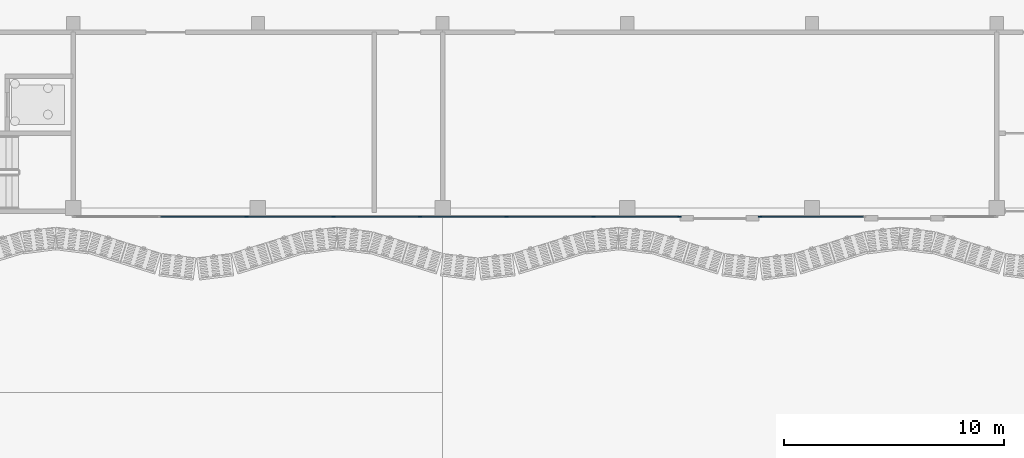
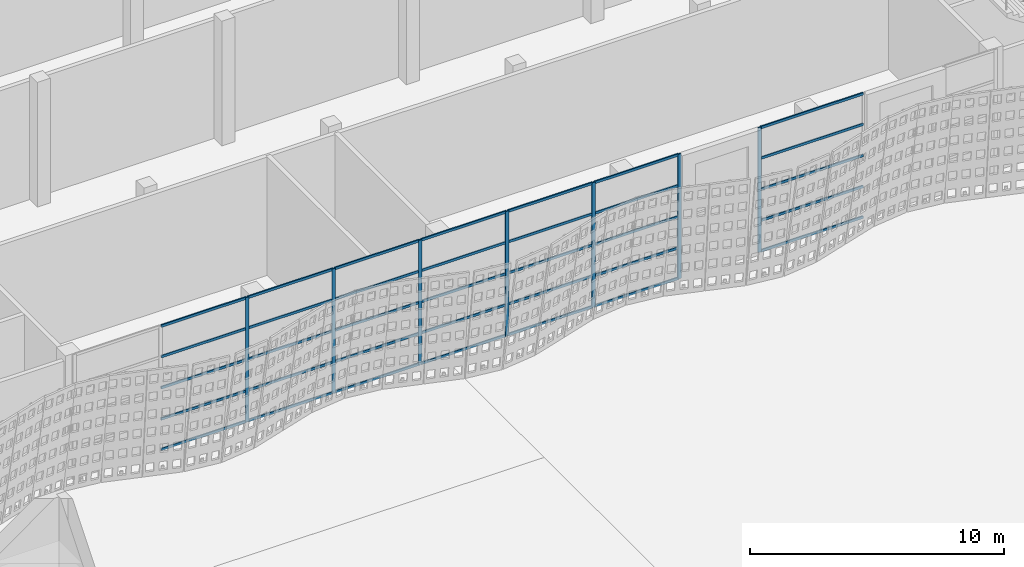
# One storey, part 54 of 210: 42 members, 2 elements without a shape of their own.
"""IFC4 building model written with IfcOpenShell, lengths in metres."""

from ifc_helpers import new_model, si_unit, direction, frame, origin, origin_2d, place, context, subcontext, project, spatial, rectangle, extrude, material, layer, layer_set, material_profile, profile_set, type_object, element, aggregate, save


model = new_model("IFC4")

# Units and contexts
model_context = context("Model", 3, precision=1e-05, world=origin(), true_north=direction((0.0, 1.0)))
body_context = subcontext(model_context, "Body", "Model", "MODEL_VIEW")
ifc_project = project(units=[si_unit("LENGTHUNIT", "METRE"), si_unit("AREAUNIT", "SQUARE_METRE"), si_unit("VOLUMEUNIT", "CUBIC_METRE"), si_unit("PLANEANGLEUNIT", "RADIAN"), si_unit("MASSUNIT", "GRAM", prefix="KILO")], contexts=[model_context])

# Site, building, storey
site_placement = place(None, origin())
site = spatial("IfcSite", under=ifc_project, at=site_placement, CompositionType="ELEMENT")
building_placement = place(site_placement, origin())
building = spatial("IfcBuilding", under=site, at=building_placement, Name="Rain Tree Exposition and Congress Centre", CompositionType="ELEMENT")
storey_placement = place(building_placement, origin())
storey = spatial("IfcBuildingStorey", under=building, at=storey_placement, Name="L00", CompositionType="ELEMENT", Elevation=0.0)

# Curtain wall, members
ifc_material_1 = material(Name="Aluminium curtain wall system", Category="aluminium")
ifc_layer = layer(ifc_material_1, 0.10009765625)
ifc_layer_set = layer_set([ifc_layer], Name="Aluminium curtain wall system")
curtain_wall_type = type_object("IfcCurtainWallType", Name="Concourse curtain wall 4200 module", PredefinedType="NOTDEFINED", material=ifc_layer_set)
curtain_wall_1_placement = place(storey_placement, origin())
curtain_wall_1 = element("IfcCurtainWall", 1, at=curtain_wall_1_placement, inside=storey, type_object=curtain_wall_type, Name="Concourse curtain wall CWC19", PredefinedType="NOTDEFINED")
ifc_material_2 = material(Name="Aluminium mullion", Category="aluminium")
ifc_material_profile_1 = material_profile(ifc_material_2, rectangle(XDim=0.06005859375, YDim=0.159912109375, at=origin_2d()), Name="AL 60x160")
ifc_profile_set_1 = profile_set([ifc_material_profile_1], Name="Aluminium mullion")
member_type_1 = type_object("IfcMemberType", Name="Concourse curtain wall mullion 60x160", PredefinedType="MULLION", material=ifc_profile_set_1)
member_1_placement = place(storey_placement, frame((226.28564453125, 75.199951171875, 0.0), z_axis=(0.0, 0.0, 1.0), x_axis=(0.0, 1.0, 0.0)))
member_1 = element("IfcMember", 2, at=member_1_placement, type_object=member_type_1, Name="CWC19 mullion 3", PredefinedType="MULLION", context=body_context, shape_type="SweptSolid", body=[
    extrude(rectangle(XDim=0.06005859375, YDim=0.159912109375, at=origin_2d()), origin(), (0.0, 0.0, 1.0), 6.0),
])
member_2_placement = place(storey_placement, frame((230.228515625, 75.199951171875, 0.0), z_axis=(0.0, 0.0, 1.0), x_axis=(0.0, 1.0, 0.0)))
member_2 = element("IfcMember", 3, at=member_2_placement, type_object=member_type_1, Name="CWC19 mullion 4", PredefinedType="MULLION", context=body_context, shape_type="SweptSolid", body=[
    extrude(rectangle(XDim=0.06005859375, YDim=0.159912109375, at=origin_2d()), origin(), (0.0, 0.0, 1.0), 6.0),
])
member_3_placement = place(storey_placement, frame((234.17138671875, 75.199951171875, 0.0), z_axis=(0.0, 0.0, 1.0), x_axis=(0.0, 1.0, 0.0)))
member_3 = element("IfcMember", 4, at=member_3_placement, type_object=member_type_1, Name="CWC19 mullion 5", PredefinedType="MULLION", context=body_context, shape_type="SweptSolid", body=[
    extrude(rectangle(XDim=0.06005859375, YDim=0.159912109375, at=origin_2d()), origin(), (0.0, 0.0, 1.0), 6.0),
])
member_4_placement = place(storey_placement, frame((238.1142578125, 75.199951171875, 0.0), z_axis=(0.0, 0.0, 1.0), x_axis=(0.0, 1.0, 0.0)))
member_4 = element("IfcMember", 5, at=member_4_placement, type_object=member_type_1, Name="CWC19 mullion 6", PredefinedType="MULLION", context=body_context, shape_type="SweptSolid", body=[
    extrude(rectangle(XDim=0.06005859375, YDim=0.159912109375, at=origin_2d()), origin(), (0.0, 0.0, 1.0), 6.0),
])
member_5_placement = place(storey_placement, frame((242.05712890625, 75.199951171875, 0.0), z_axis=(0.0, 0.0, 1.0), x_axis=(0.0, 1.0, 0.0)))
member_5 = element("IfcMember", 6, at=member_5_placement, type_object=member_type_1, Name="CWC19 mullion 7", PredefinedType="MULLION", context=body_context, shape_type="SweptSolid", body=[
    extrude(rectangle(XDim=0.06005859375, YDim=0.159912109375, at=origin_2d()), origin(), (0.0, 0.0, 1.0), 6.0),
])
member_6_placement = place(storey_placement, frame((245.969970703125, 75.199951171875, 0.0), z_axis=(0.0, 0.0, 1.0), x_axis=(0.0, 1.0, 0.0)))
member_6 = element("IfcMember", 7, at=member_6_placement, type_object=member_type_1, Name="CWC19 mullion 8", PredefinedType="MULLION", context=body_context, shape_type="SweptSolid", body=[
    extrude(rectangle(XDim=0.06005859375, YDim=0.159912109375, at=origin_2d()), origin(), (0.0, 0.0, 1.0), 6.0),
])

# Curtain wall, member
curtain_wall_2_placement = place(storey_placement, origin())
curtain_wall_2 = element("IfcCurtainWall", 8, at=curtain_wall_2_placement, inside=storey, type_object=curtain_wall_type, Name="Concourse curtain wall CWC20", PredefinedType="NOTDEFINED")
member_7_placement = place(storey_placement, frame((249.6298828125, 75.199951171875, 0.0), z_axis=(0.0, 0.0, 1.0), x_axis=(0.0, 1.0, 0.0)))
member_7 = element("IfcMember", 9, at=member_7_placement, type_object=member_type_1, Name="CWC20 mullion 1", PredefinedType="MULLION", context=body_context, shape_type="SweptSolid", body=[
    extrude(rectangle(XDim=0.06005859375, YDim=0.159912109375, at=origin_2d()), origin(), (0.0, 0.0, 1.0), 6.0),
])

# Member
ifc_material_3 = material(Name="Aluminium transom", Category="aluminium")
ifc_material_profile_2 = material_profile(ifc_material_3, rectangle(XDim=0.06005859375, YDim=0.1201171875, at=origin_2d()), Name="AL 60x120")
ifc_profile_set_2 = profile_set([ifc_material_profile_2], Name="Aluminium transom")
member_type_2 = type_object("IfcMemberType", Name="Concourse curtain wall transom 60x120", PredefinedType="USERDEFINED", material=ifc_profile_set_2)
member_8_placement = place(storey_placement, frame((222.372802734375, 75.199951171875, 0.030029296875), z_axis=(1.0, 0.0, 0.0), x_axis=(0.0, 1.0, 0.0)))
member_8 = element("IfcMember", 10, at=member_8_placement, type_object=member_type_2, Name="CWC19 transom 2.1", ObjectType="TRANSOM", PredefinedType="USERDEFINED", context=body_context, shape_type="SweptSolid", body=[
    extrude(rectangle(XDim=0.06005859375, YDim=0.1201171875, at=origin_2d()), origin(), (0.0, 0.0, 1.0), 3.8828125),
])

member_9_placement = place(storey_placement, frame((222.372802734375, 75.199951171875, 1.5), z_axis=(1.0, 0.0, 0.0), x_axis=(0.0, 1.0, 0.0)))
member_9 = element("IfcMember", 11, at=member_9_placement, type_object=member_type_2, Name="CWC19 transom 2.2", ObjectType="TRANSOM", PredefinedType="USERDEFINED", context=body_context, shape_type="SweptSolid", body=[
    extrude(rectangle(XDim=0.06005859375, YDim=0.1201171875, at=origin_2d()), origin(), (0.0, 0.0, 1.0), 3.8828125),
])

member_10_placement = place(storey_placement, frame((222.372802734375, 75.199951171875, 3.0), z_axis=(1.0, 0.0, 0.0), x_axis=(0.0, 1.0, 0.0)))
member_10 = element("IfcMember", 12, at=member_10_placement, type_object=member_type_2, Name="CWC19 transom 2.3", ObjectType="TRANSOM", PredefinedType="USERDEFINED", context=body_context, shape_type="SweptSolid", body=[
    extrude(rectangle(XDim=0.06005859375, YDim=0.1201171875, at=origin_2d()), origin(), (0.0, 0.0, 1.0), 3.8828125),
])

member_11_placement = place(storey_placement, frame((222.372802734375, 75.199951171875, 4.5), z_axis=(1.0, 0.0, 0.0), x_axis=(0.0, 1.0, 0.0)))
member_11 = element("IfcMember", 13, at=member_11_placement, type_object=member_type_2, Name="CWC19 transom 2.4", ObjectType="TRANSOM", PredefinedType="USERDEFINED", context=body_context, shape_type="SweptSolid", body=[
    extrude(rectangle(XDim=0.06005859375, YDim=0.1201171875, at=origin_2d()), origin(), (0.0, 0.0, 1.0), 3.8828125),
])

member_12_placement = place(storey_placement, frame((222.372802734375, 75.199951171875, 5.969970703125), z_axis=(1.0, 0.0, 0.0), x_axis=(0.0, 1.0, 0.0)))
member_12 = element("IfcMember", 14, at=member_12_placement, type_object=member_type_2, Name="CWC19 transom 2.5", ObjectType="TRANSOM", PredefinedType="USERDEFINED", context=body_context, shape_type="SweptSolid", body=[
    extrude(rectangle(XDim=0.06005859375, YDim=0.1201171875, at=origin_2d()), origin(), (0.0, 0.0, 1.0), 3.8828125),
])

member_13_placement = place(storey_placement, frame((226.315673828125, 75.199951171875, 0.030029296875), z_axis=(1.0, 0.0, 0.0), x_axis=(0.0, 1.0, 0.0)))
member_13 = element("IfcMember", 15, at=member_13_placement, type_object=member_type_2, Name="CWC19 transom 3.1", ObjectType="TRANSOM", PredefinedType="USERDEFINED", context=body_context, shape_type="SweptSolid", body=[
    extrude(rectangle(XDim=0.06005859375, YDim=0.1201171875, at=origin_2d()), origin(), (0.0, 0.0, 1.0), 3.8828125),
])

member_14_placement = place(storey_placement, frame((226.315673828125, 75.199951171875, 1.5), z_axis=(1.0, 0.0, 0.0), x_axis=(0.0, 1.0, 0.0)))
member_14 = element("IfcMember", 16, at=member_14_placement, type_object=member_type_2, Name="CWC19 transom 3.2", ObjectType="TRANSOM", PredefinedType="USERDEFINED", context=body_context, shape_type="SweptSolid", body=[
    extrude(rectangle(XDim=0.06005859375, YDim=0.1201171875, at=origin_2d()), origin(), (0.0, 0.0, 1.0), 3.8828125),
])

member_15_placement = place(storey_placement, frame((226.315673828125, 75.199951171875, 3.0), z_axis=(1.0, 0.0, 0.0), x_axis=(0.0, 1.0, 0.0)))
member_15 = element("IfcMember", 17, at=member_15_placement, type_object=member_type_2, Name="CWC19 transom 3.3", ObjectType="TRANSOM", PredefinedType="USERDEFINED", context=body_context, shape_type="SweptSolid", body=[
    extrude(rectangle(XDim=0.06005859375, YDim=0.1201171875, at=origin_2d()), origin(), (0.0, 0.0, 1.0), 3.8828125),
])

member_16_placement = place(storey_placement, frame((226.315673828125, 75.199951171875, 4.5), z_axis=(1.0, 0.0, 0.0), x_axis=(0.0, 1.0, 0.0)))
member_16 = element("IfcMember", 18, at=member_16_placement, type_object=member_type_2, Name="CWC19 transom 3.4", ObjectType="TRANSOM", PredefinedType="USERDEFINED", context=body_context, shape_type="SweptSolid", body=[
    extrude(rectangle(XDim=0.06005859375, YDim=0.1201171875, at=origin_2d()), origin(), (0.0, 0.0, 1.0), 3.8828125),
])

member_17_placement = place(storey_placement, frame((226.315673828125, 75.199951171875, 5.969970703125), z_axis=(1.0, 0.0, 0.0), x_axis=(0.0, 1.0, 0.0)))
member_17 = element("IfcMember", 19, at=member_17_placement, type_object=member_type_2, Name="CWC19 transom 3.5", ObjectType="TRANSOM", PredefinedType="USERDEFINED", context=body_context, shape_type="SweptSolid", body=[
    extrude(rectangle(XDim=0.06005859375, YDim=0.1201171875, at=origin_2d()), origin(), (0.0, 0.0, 1.0), 3.8828125),
])

member_18_placement = place(storey_placement, frame((230.258544921875, 75.199951171875, 0.030029296875), z_axis=(1.0, 0.0, 0.0), x_axis=(0.0, 1.0, 0.0)))
member_18 = element("IfcMember", 20, at=member_18_placement, type_object=member_type_2, Name="CWC19 transom 4.1", ObjectType="TRANSOM", PredefinedType="USERDEFINED", context=body_context, shape_type="SweptSolid", body=[
    extrude(rectangle(XDim=0.06005859375, YDim=0.1201171875, at=origin_2d()), origin(), (0.0, 0.0, 1.0), 3.8828125),
])

member_19_placement = place(storey_placement, frame((230.258544921875, 75.199951171875, 1.5), z_axis=(1.0, 0.0, 0.0), x_axis=(0.0, 1.0, 0.0)))
member_19 = element("IfcMember", 21, at=member_19_placement, type_object=member_type_2, Name="CWC19 transom 4.2", ObjectType="TRANSOM", PredefinedType="USERDEFINED", context=body_context, shape_type="SweptSolid", body=[
    extrude(rectangle(XDim=0.06005859375, YDim=0.1201171875, at=origin_2d()), origin(), (0.0, 0.0, 1.0), 3.8828125),
])

member_20_placement = place(storey_placement, frame((230.258544921875, 75.199951171875, 3.0), z_axis=(1.0, 0.0, 0.0), x_axis=(0.0, 1.0, 0.0)))
member_20 = element("IfcMember", 22, at=member_20_placement, type_object=member_type_2, Name="CWC19 transom 4.3", ObjectType="TRANSOM", PredefinedType="USERDEFINED", context=body_context, shape_type="SweptSolid", body=[
    extrude(rectangle(XDim=0.06005859375, YDim=0.1201171875, at=origin_2d()), origin(), (0.0, 0.0, 1.0), 3.8828125),
])

member_21_placement = place(storey_placement, frame((230.258544921875, 75.199951171875, 4.5), z_axis=(1.0, 0.0, 0.0), x_axis=(0.0, 1.0, 0.0)))
member_21 = element("IfcMember", 23, at=member_21_placement, type_object=member_type_2, Name="CWC19 transom 4.4", ObjectType="TRANSOM", PredefinedType="USERDEFINED", context=body_context, shape_type="SweptSolid", body=[
    extrude(rectangle(XDim=0.06005859375, YDim=0.1201171875, at=origin_2d()), origin(), (0.0, 0.0, 1.0), 3.8828125),
])

member_22_placement = place(storey_placement, frame((230.258544921875, 75.199951171875, 5.969970703125), z_axis=(1.0, 0.0, 0.0), x_axis=(0.0, 1.0, 0.0)))
member_22 = element("IfcMember", 24, at=member_22_placement, type_object=member_type_2, Name="CWC19 transom 4.5", ObjectType="TRANSOM", PredefinedType="USERDEFINED", context=body_context, shape_type="SweptSolid", body=[
    extrude(rectangle(XDim=0.06005859375, YDim=0.1201171875, at=origin_2d()), origin(), (0.0, 0.0, 1.0), 3.8828125),
])

member_23_placement = place(storey_placement, frame((234.201416015625, 75.199951171875, 0.030029296875), z_axis=(1.0, 0.0, 0.0), x_axis=(0.0, 1.0, 0.0)))
member_23 = element("IfcMember", 25, at=member_23_placement, type_object=member_type_2, Name="CWC19 transom 5.1", ObjectType="TRANSOM", PredefinedType="USERDEFINED", context=body_context, shape_type="SweptSolid", body=[
    extrude(rectangle(XDim=0.06005859375, YDim=0.1201171875, at=origin_2d()), origin(), (0.0, 0.0, 1.0), 3.8828125),
])

member_24_placement = place(storey_placement, frame((234.201416015625, 75.199951171875, 1.5), z_axis=(1.0, 0.0, 0.0), x_axis=(0.0, 1.0, 0.0)))
member_24 = element("IfcMember", 26, at=member_24_placement, type_object=member_type_2, Name="CWC19 transom 5.2", ObjectType="TRANSOM", PredefinedType="USERDEFINED", context=body_context, shape_type="SweptSolid", body=[
    extrude(rectangle(XDim=0.06005859375, YDim=0.1201171875, at=origin_2d()), origin(), (0.0, 0.0, 1.0), 3.8828125),
])

member_25_placement = place(storey_placement, frame((234.201416015625, 75.199951171875, 3.0), z_axis=(1.0, 0.0, 0.0), x_axis=(0.0, 1.0, 0.0)))
member_25 = element("IfcMember", 27, at=member_25_placement, type_object=member_type_2, Name="CWC19 transom 5.3", ObjectType="TRANSOM", PredefinedType="USERDEFINED", context=body_context, shape_type="SweptSolid", body=[
    extrude(rectangle(XDim=0.06005859375, YDim=0.1201171875, at=origin_2d()), origin(), (0.0, 0.0, 1.0), 3.8828125),
])

member_26_placement = place(storey_placement, frame((234.201416015625, 75.199951171875, 4.5), z_axis=(1.0, 0.0, 0.0), x_axis=(0.0, 1.0, 0.0)))
member_26 = element("IfcMember", 28, at=member_26_placement, type_object=member_type_2, Name="CWC19 transom 5.4", ObjectType="TRANSOM", PredefinedType="USERDEFINED", context=body_context, shape_type="SweptSolid", body=[
    extrude(rectangle(XDim=0.06005859375, YDim=0.1201171875, at=origin_2d()), origin(), (0.0, 0.0, 1.0), 3.8828125),
])

member_27_placement = place(storey_placement, frame((234.201416015625, 75.199951171875, 5.969970703125), z_axis=(1.0, 0.0, 0.0), x_axis=(0.0, 1.0, 0.0)))
member_27 = element("IfcMember", 29, at=member_27_placement, type_object=member_type_2, Name="CWC19 transom 5.5", ObjectType="TRANSOM", PredefinedType="USERDEFINED", context=body_context, shape_type="SweptSolid", body=[
    extrude(rectangle(XDim=0.06005859375, YDim=0.1201171875, at=origin_2d()), origin(), (0.0, 0.0, 1.0), 3.8828125),
])

member_28_placement = place(storey_placement, frame((238.144287109375, 75.199951171875, 0.030029296875), z_axis=(1.0, 0.0, 0.0), x_axis=(0.0, 1.0, 0.0)))
member_28 = element("IfcMember", 30, at=member_28_placement, type_object=member_type_2, Name="CWC19 transom 6.1", ObjectType="TRANSOM", PredefinedType="USERDEFINED", context=body_context, shape_type="SweptSolid", body=[
    extrude(rectangle(XDim=0.06005859375, YDim=0.1201171875, at=origin_2d()), origin(), (0.0, 0.0, 1.0), 3.8828125),
])

member_29_placement = place(storey_placement, frame((238.144287109375, 75.199951171875, 1.5), z_axis=(1.0, 0.0, 0.0), x_axis=(0.0, 1.0, 0.0)))
member_29 = element("IfcMember", 31, at=member_29_placement, type_object=member_type_2, Name="CWC19 transom 6.2", ObjectType="TRANSOM", PredefinedType="USERDEFINED", context=body_context, shape_type="SweptSolid", body=[
    extrude(rectangle(XDim=0.06005859375, YDim=0.1201171875, at=origin_2d()), origin(), (0.0, 0.0, 1.0), 3.8828125),
])

member_30_placement = place(storey_placement, frame((238.144287109375, 75.199951171875, 3.0), z_axis=(1.0, 0.0, 0.0), x_axis=(0.0, 1.0, 0.0)))
member_30 = element("IfcMember", 32, at=member_30_placement, type_object=member_type_2, Name="CWC19 transom 6.3", ObjectType="TRANSOM", PredefinedType="USERDEFINED", context=body_context, shape_type="SweptSolid", body=[
    extrude(rectangle(XDim=0.06005859375, YDim=0.1201171875, at=origin_2d()), origin(), (0.0, 0.0, 1.0), 3.8828125),
])

member_31_placement = place(storey_placement, frame((238.144287109375, 75.199951171875, 4.5), z_axis=(1.0, 0.0, 0.0), x_axis=(0.0, 1.0, 0.0)))
member_31 = element("IfcMember", 33, at=member_31_placement, type_object=member_type_2, Name="CWC19 transom 6.4", ObjectType="TRANSOM", PredefinedType="USERDEFINED", context=body_context, shape_type="SweptSolid", body=[
    extrude(rectangle(XDim=0.06005859375, YDim=0.1201171875, at=origin_2d()), origin(), (0.0, 0.0, 1.0), 3.8828125),
])

member_32_placement = place(storey_placement, frame((238.144287109375, 75.199951171875, 5.969970703125), z_axis=(1.0, 0.0, 0.0), x_axis=(0.0, 1.0, 0.0)))
member_32 = element("IfcMember", 34, at=member_32_placement, type_object=member_type_2, Name="CWC19 transom 6.5", ObjectType="TRANSOM", PredefinedType="USERDEFINED", context=body_context, shape_type="SweptSolid", body=[
    extrude(rectangle(XDim=0.06005859375, YDim=0.1201171875, at=origin_2d()), origin(), (0.0, 0.0, 1.0), 3.8828125),
])

member_33_placement = place(storey_placement, frame((242.087158203125, 75.199951171875, 0.030029296875), z_axis=(1.0, 0.0, 0.0), x_axis=(0.0, 1.0, 0.0)))
member_33 = element("IfcMember", 35, at=member_33_placement, type_object=member_type_2, Name="CWC19 transom 7.1", ObjectType="TRANSOM", PredefinedType="USERDEFINED", context=body_context, shape_type="SweptSolid", body=[
    extrude(rectangle(XDim=0.06005859375, YDim=0.1201171875, at=origin_2d()), origin(), (0.0, 0.0, 1.0), 3.852783203125),
])

member_34_placement = place(storey_placement, frame((242.087158203125, 75.199951171875, 1.5), z_axis=(1.0, 0.0, 0.0), x_axis=(0.0, 1.0, 0.0)))
member_34 = element("IfcMember", 36, at=member_34_placement, type_object=member_type_2, Name="CWC19 transom 7.2", ObjectType="TRANSOM", PredefinedType="USERDEFINED", context=body_context, shape_type="SweptSolid", body=[
    extrude(rectangle(XDim=0.06005859375, YDim=0.1201171875, at=origin_2d()), origin(), (0.0, 0.0, 1.0), 3.852783203125),
])

member_35_placement = place(storey_placement, frame((242.087158203125, 75.199951171875, 3.0), z_axis=(1.0, 0.0, 0.0), x_axis=(0.0, 1.0, 0.0)))
member_35 = element("IfcMember", 37, at=member_35_placement, type_object=member_type_2, Name="CWC19 transom 7.3", ObjectType="TRANSOM", PredefinedType="USERDEFINED", context=body_context, shape_type="SweptSolid", body=[
    extrude(rectangle(XDim=0.06005859375, YDim=0.1201171875, at=origin_2d()), origin(), (0.0, 0.0, 1.0), 3.852783203125),
])

member_36_placement = place(storey_placement, frame((242.087158203125, 75.199951171875, 4.5), z_axis=(1.0, 0.0, 0.0), x_axis=(0.0, 1.0, 0.0)))
member_36 = element("IfcMember", 38, at=member_36_placement, type_object=member_type_2, Name="CWC19 transom 7.4", ObjectType="TRANSOM", PredefinedType="USERDEFINED", context=body_context, shape_type="SweptSolid", body=[
    extrude(rectangle(XDim=0.06005859375, YDim=0.1201171875, at=origin_2d()), origin(), (0.0, 0.0, 1.0), 3.852783203125),
])

member_37_placement = place(storey_placement, frame((242.087158203125, 75.199951171875, 5.969970703125), z_axis=(1.0, 0.0, 0.0), x_axis=(0.0, 1.0, 0.0)))
member_37 = element("IfcMember", 39, at=member_37_placement, type_object=member_type_2, Name="CWC19 transom 7.5", ObjectType="TRANSOM", PredefinedType="USERDEFINED", context=body_context, shape_type="SweptSolid", body=[
    extrude(rectangle(XDim=0.06005859375, YDim=0.1201171875, at=origin_2d()), origin(), (0.0, 0.0, 1.0), 3.852783203125),
])

aggregate(curtain_wall_1, [member_1, member_2, member_3, member_4, member_5, member_6, member_8, member_9, member_10, member_11, member_12, member_13, member_14, member_15, member_16, member_17, member_18, member_19, member_20, member_21, member_22, member_23, member_24, member_25, member_26, member_27, member_28, member_29, member_30, member_31, member_32, member_33, member_34, member_35, member_36, member_37])

member_38_placement = place(storey_placement, frame((249.659912109375, 75.199951171875, 0.030029296875), z_axis=(1.0, 0.0, 0.0), x_axis=(0.0, 1.0, 0.0)))
member_38 = element("IfcMember", 40, at=member_38_placement, type_object=member_type_2, Name="CWC20 transom 1.1", ObjectType="TRANSOM", PredefinedType="USERDEFINED", context=body_context, shape_type="SweptSolid", body=[
    extrude(rectangle(XDim=0.06005859375, YDim=0.1201171875, at=origin_2d()), origin(), (0.0, 0.0, 1.0), 4.68017578125),
])

member_39_placement = place(storey_placement, frame((249.659912109375, 75.199951171875, 1.5), z_axis=(1.0, 0.0, 0.0), x_axis=(0.0, 1.0, 0.0)))
member_39 = element("IfcMember", 41, at=member_39_placement, type_object=member_type_2, Name="CWC20 transom 1.2", ObjectType="TRANSOM", PredefinedType="USERDEFINED", context=body_context, shape_type="SweptSolid", body=[
    extrude(rectangle(XDim=0.06005859375, YDim=0.1201171875, at=origin_2d()), origin(), (0.0, 0.0, 1.0), 4.68017578125),
])

member_40_placement = place(storey_placement, frame((249.659912109375, 75.199951171875, 3.0), z_axis=(1.0, 0.0, 0.0), x_axis=(0.0, 1.0, 0.0)))
member_40 = element("IfcMember", 42, at=member_40_placement, type_object=member_type_2, Name="CWC20 transom 1.3", ObjectType="TRANSOM", PredefinedType="USERDEFINED", context=body_context, shape_type="SweptSolid", body=[
    extrude(rectangle(XDim=0.06005859375, YDim=0.1201171875, at=origin_2d()), origin(), (0.0, 0.0, 1.0), 4.68017578125),
])

member_41_placement = place(storey_placement, frame((249.659912109375, 75.199951171875, 4.5), z_axis=(1.0, 0.0, 0.0), x_axis=(0.0, 1.0, 0.0)))
member_41 = element("IfcMember", 43, at=member_41_placement, type_object=member_type_2, Name="CWC20 transom 1.4", ObjectType="TRANSOM", PredefinedType="USERDEFINED", context=body_context, shape_type="SweptSolid", body=[
    extrude(rectangle(XDim=0.06005859375, YDim=0.1201171875, at=origin_2d()), origin(), (0.0, 0.0, 1.0), 4.68017578125),
])

member_42_placement = place(storey_placement, frame((249.659912109375, 75.199951171875, 5.969970703125), z_axis=(1.0, 0.0, 0.0), x_axis=(0.0, 1.0, 0.0)))
member_42 = element("IfcMember", 44, at=member_42_placement, type_object=member_type_2, Name="CWC20 transom 1.5", ObjectType="TRANSOM", PredefinedType="USERDEFINED", context=body_context, shape_type="SweptSolid", body=[
    extrude(rectangle(XDim=0.06005859375, YDim=0.1201171875, at=origin_2d()), origin(), (0.0, 0.0, 1.0), 4.68017578125),
])

aggregate(curtain_wall_2, [member_7, member_38, member_39, member_40, member_41, member_42])

save(model, "model.ifc")
